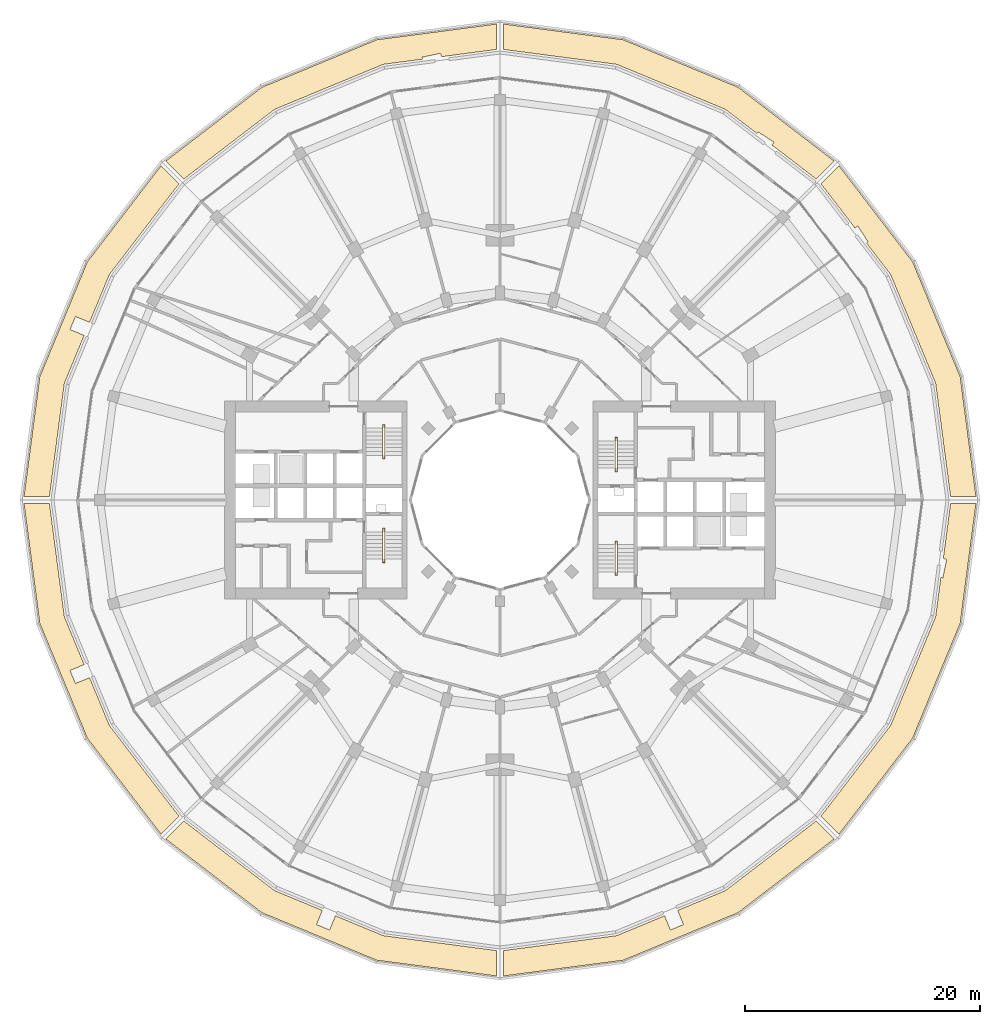
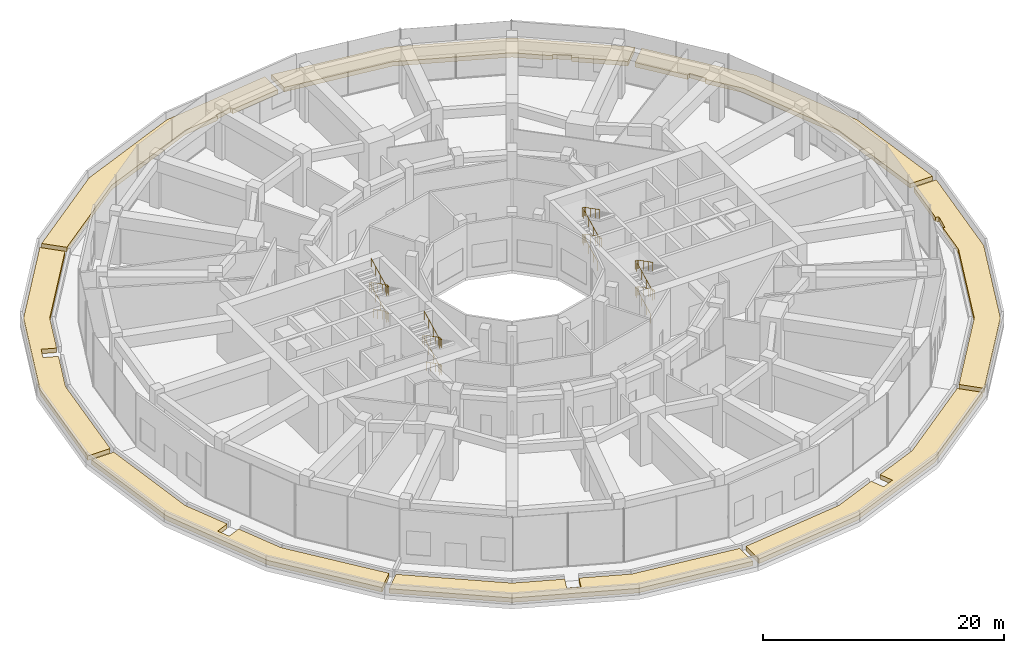
# One storey, part 25 of 26: 8 coverings, 4 railings.
"""IFC4 building model written with IfcOpenShell, lengths in metres."""

from ifc_helpers import new_model, si_unit, direction, frame, origin, origin_2d, place, context, subcontext, project, spatial, polyline, circle, outline, extrude, material, layer, layer_set, type_object, element, save


model = new_model("IFC4")

# Units and contexts
model_context = context("Model", 3, precision=1e-05, world=origin(), true_north=direction((0.0, 1.0)))
body_context = subcontext(model_context, "Body", "Model", "MODEL_VIEW")
ifc_project = project(units=[si_unit("LENGTHUNIT", "METRE"), si_unit("AREAUNIT", "SQUARE_METRE"), si_unit("VOLUMEUNIT", "CUBIC_METRE"), si_unit("PLANEANGLEUNIT", "RADIAN"), si_unit("MASSUNIT", "GRAM", prefix="KILO")], contexts=[model_context])

# Site, building, storey
site_placement = place(None, origin())
site = spatial("IfcSite", under=ifc_project, at=site_placement, CompositionType="ELEMENT")
building_placement = place(site_placement, origin())
building = spatial("IfcBuilding", under=site, at=building_placement, Name="Torre Brocal", CompositionType="ELEMENT")
storey_placement = place(building_placement, frame((0.0, 0.0, 12.39990234375)))
storey = spatial("IfcBuildingStorey", under=building, at=storey_placement, Name="L02", CompositionType="ELEMENT", Elevation=12.39990234375)

# Coverings
ifc_material_1 = material(Name="Planting soil")
ifc_layer = layer(ifc_material_1, 0.449951171875)
ifc_layer_set = layer_set([ifc_layer], Name="Planting soil")
covering_type = type_object("IfcCoveringType", Name="PLANTING SOIL 450", PredefinedType="FLOORING", material=ifc_layer_set)
covering_1_placement = place(storey_placement, origin())
element("IfcCovering", 1, at=covering_1_placement, inside=storey, type_object=covering_type, Name="PLANTING SOIL", PredefinedType="FLOORING", context=body_context, shape_type="SweptSolid", body=[
    extrude(outline(polyline([(120.456298828125, 75.300048828125), (118.29541015625, 75.300048828125), (117.02880859375, 84.921875), (113.198974609375, 94.16748046875), (111.14501953125, 96.84423828125), (111.287109375, 96.93603515625), (110.4189453125, 98.280029296875), (110.167724609375, 98.117919921875), (107.291015625, 101.866943359375), (108.819091796875, 103.394775390625), (115.0703125, 95.247802734375), (119.11572265625, 85.48095703125), (120.456298828125, 75.300048828125)])), origin(), (0.0, 0.0, 1.0), 0.4501953125),
])
covering_2_placement = place(storey_placement, origin())
element("IfcCovering", 2, at=covering_2_placement, inside=storey, type_object=covering_type, Name="PLANTING SOIL", PredefinedType="FLOORING", context=body_context, shape_type="SweptSolid", body=[
    extrude(outline(polyline([(108.394775390625, 103.819091796875), (106.866943359375, 102.291015625), (103.117919921875, 105.167724609375), (103.280029296875, 105.4189453125), (101.93603515625, 106.287109375), (101.84423828125, 106.14501953125), (99.16748046875, 108.198974609375), (89.921875, 112.02880859375), (80.300048828125, 113.29541015625), (80.300048828125, 115.456298828125), (90.48095703125, 114.11572265625), (100.247802734375, 110.0703125), (108.394775390625, 103.819091796875)])), origin(), (0.0, 0.0, 1.0), 0.4501953125),
])
covering_3_placement = place(storey_placement, origin())
element("IfcCovering", 3, at=covering_3_placement, inside=storey, type_object=covering_type, Name="PLANTING SOIL", PredefinedType="FLOORING", context=body_context, shape_type="SweptSolid", body=[
    extrude(outline(polyline([(59.752197265625, 110.0703125), (69.51904296875, 114.11572265625), (79.699951171875, 115.456298828125), (79.699951171875, 113.29541015625), (75.014892578125, 112.6787109375), (74.9521484375, 112.970947265625), (73.387939453125, 112.634521484375), (73.42333984375, 112.46923828125), (70.078125, 112.02880859375), (60.83251953125, 108.198974609375), (53.133056640625, 102.291015625), (51.605224609375, 103.819091796875), (59.752197265625, 110.0703125)])), origin(), (0.0, 0.0, 1.0), 0.4501953125),
])
covering_4_placement = place(storey_placement, origin())
element("IfcCovering", 4, at=covering_4_placement, inside=storey, type_object=covering_type, Name="PLANTING SOIL", PredefinedType="FLOORING", context=body_context, shape_type="SweptSolid", body=[
    extrude(outline(polyline([(51.180908203125, 103.394775390625), (52.708984375, 101.866943359375), (46.801025390625, 94.16748046875), (45.11572265625, 90.098876953125), (43.91455078125, 90.596435546875), (43.455322265625, 89.48779296875), (44.656494140625, 88.990234375), (42.97119140625, 84.921875), (41.70458984375, 75.300048828125), (39.543701171875, 75.300048828125), (40.88427734375, 85.48095703125), (44.9296875, 95.247802734375), (51.180908203125, 103.394775390625)])), origin(), (0.0, 0.0, 1.0), 0.4501953125),
])
covering_5_placement = place(storey_placement, origin())
element("IfcCovering", 5, at=covering_5_placement, inside=storey, type_object=covering_type, Name="PLANTING SOIL", PredefinedType="FLOORING", context=body_context, shape_type="SweptSolid", body=[
    extrude(outline(polyline([(39.543701171875, 74.699951171875), (41.70458984375, 74.699951171875), (42.97119140625, 65.078125), (44.656494140625, 61.009765625), (43.455322265625, 60.51220703125), (43.91455078125, 59.403564453125), (45.11572265625, 59.901123046875), (46.801025390625, 55.83251953125), (52.708984375, 48.133056640625), (51.180908203125, 46.605224609375), (44.9296875, 54.752197265625), (40.88427734375, 64.51904296875), (39.543701171875, 74.699951171875)])), origin(), (0.0, 0.0, 1.0), 0.4501953125),
])
covering_6_placement = place(storey_placement, origin())
element("IfcCovering", 6, at=covering_6_placement, inside=storey, type_object=covering_type, Name="PLANTING SOIL", PredefinedType="FLOORING", context=body_context, shape_type="SweptSolid", body=[
    extrude(outline(polyline([(60.83251953125, 41.801025390625), (64.901123046875, 40.11572265625), (64.403564453125, 38.91455078125), (65.51220703125, 38.455322265625), (66.009765625, 39.656494140625), (70.078125, 37.97119140625), (79.699951171875, 36.70458984375), (79.699951171875, 34.543701171875), (69.51904296875, 35.88427734375), (59.752197265625, 39.9296875), (51.605224609375, 46.180908203125), (53.133056640625, 47.708984375), (60.83251953125, 41.801025390625)])), origin(), (0.0, 0.0, 1.0), 0.4501953125),
])
covering_7_placement = place(storey_placement, origin())
element("IfcCovering", 7, at=covering_7_placement, inside=storey, type_object=covering_type, Name="PLANTING SOIL", PredefinedType="FLOORING", context=body_context, shape_type="SweptSolid", body=[
    extrude(outline(polyline([(89.921875, 37.97119140625), (93.990234375, 39.656494140625), (94.48779296875, 38.455322265625), (95.596435546875, 38.91455078125), (95.098876953125, 40.11572265625), (99.16748046875, 41.801025390625), (106.866943359375, 47.708984375), (108.394775390625, 46.180908203125), (100.247802734375, 39.9296875), (90.48095703125, 35.88427734375), (80.300048828125, 34.543701171875), (80.300048828125, 36.70458984375), (89.921875, 37.97119140625)])), origin(), (0.0, 0.0, 1.0), 0.4501953125),
])
covering_8_placement = place(storey_placement, origin())
element("IfcCovering", 8, at=covering_8_placement, inside=storey, type_object=covering_type, Name="PLANTING SOIL", PredefinedType="FLOORING", context=body_context, shape_type="SweptSolid", body=[
    extrude(outline(polyline([(113.198974609375, 55.83251953125), (117.02880859375, 65.078125), (117.46923828125, 68.42333984375), (117.634521484375, 68.387939453125), (117.970947265625, 69.9521484375), (117.6787109375, 70.014892578125), (118.29541015625, 74.699951171875), (120.456298828125, 74.699951171875), (119.11572265625, 64.51904296875), (115.0703125, 54.752197265625), (108.819091796875, 46.605224609375), (107.291015625, 48.133056640625), (113.198974609375, 55.83251953125)])), origin(), (0.0, 0.0, 1.0), 0.4501953125),
])

# Railings
ifc_material_2 = material(Name="Stainless steel AISI 316", Category="steel")
railing_type = type_object("IfcRailingType", Name="STAIR HANDRAIL", PredefinedType="HANDRAIL", material=ifc_material_2)
railing_1_placement = place(storey_placement, frame((89.780029296875, 77.699951171875, 0.1689453125)))
element("IfcRailing", 9, at=railing_1_placement, inside=storey, type_object=railing_type, Name="HANDRAIL ST1", PredefinedType="HANDRAIL", context=body_context, shape_type="SweptSolid", body=[
    extrude(circle(Radius=0.02392578125, at=origin_2d()), frame((0.0, 0.0, 0.8759765625), z_axis=(0.0, 0.890363489232, 0.455250323495), x_axis=(-1.0, 0.0, 0.0)), (0.0, 0.0, 1.0), 2.594482421875),
    extrude(circle(Radius=0.02392578125, at=origin_2d()), frame((0.0, 2.31005859375, 2.05712890625), z_axis=(0.0, 1.0, 0.0), x_axis=(-1.0, 0.0, 0.0)), (0.0, 0.0, 1.0), 0.300048828125),
    extrude(circle(Radius=0.02392578125, at=origin_2d()), frame((0.0, 2.610107421875, 2.05712890625), z_axis=(1.0, 0.0, 0.0), x_axis=(0.0, 1.0, 0.0)), (0.0, 0.0, 1.0), 0.18994140625),
    extrude(circle(Radius=0.02392578125, at=origin_2d()), frame((0.18994140625, 2.610107421875, 2.05712890625), z_axis=(0.0, -0.87167022805, 0.49009286215), x_axis=(1.0, 0.0, 0.0)), (0.0, 0.0, 1.0), 0.34423828125),
    extrude(circle(Radius=0.02392578125, at=origin_2d()), frame((0.18994140625, 2.31005859375, 2.2255859375), z_axis=(0.0, -0.89032534587, 0.45532491531), x_axis=(1.0, 0.0, 0.0)), (0.0, 0.0, 1.0), 2.5947265625),
    extrude(circle(Radius=0.02392578125, at=origin_2d()), frame((0.18994140625, 0.0, 3.4072265625), z_axis=(0.0, -1.0, 0.0), x_axis=(1.0, 0.0, 0.0)), (0.0, 0.0, 1.0), 0.300048828125),
    extrude(circle(Radius=0.02392578125, at=origin_2d()), frame((0.18994140625, -0.300048828125, 3.4072265625), z_axis=(-1.0, 0.0, 0.0), x_axis=(0.0, -1.0, 0.0)), (0.0, 0.0, 1.0), 0.18994140625),
    extrude(circle(Radius=0.02392578125, at=origin_2d()), frame((0.0, -0.300048828125, 3.4072265625), z_axis=(0.0, 0.87167022805, 0.49009286215), x_axis=(-1.0, 0.0, 0.0)), (0.0, 0.0, 1.0), 0.34423828125),
    extrude(circle(Radius=0.02392578125, at=origin_2d()), frame((0.0, 0.0, 3.57568359375), z_axis=(0.0, 0.890363489232, 0.455250323495), x_axis=(-1.0, 0.0, 0.0)), (0.0, 0.0, 1.0), 2.594482421875),
    extrude(circle(Radius=0.02392578125, at=origin_2d()), frame((0.0, 2.31005859375, 4.7568359375), z_axis=(0.0, 1.0, 0.0), x_axis=(-1.0, 0.0, 0.0)), (0.0, 0.0, 1.0), 0.300048828125),
    extrude(circle(Radius=0.02392578125, at=origin_2d()), frame((0.0, 2.610107421875, 4.7568359375), z_axis=(1.0, 0.0, 0.0), x_axis=(0.0, 1.0, 0.0)), (0.0, 0.0, 1.0), 0.18994140625),
    extrude(circle(Radius=0.02392578125, at=origin_2d()), frame((0.18994140625, 2.610107421875, 4.7568359375), z_axis=(0.0, -0.87167022805, 0.49009286215), x_axis=(1.0, 0.0, 0.0)), (0.0, 0.0, 1.0), 0.34423828125),
    extrude(circle(Radius=0.02392578125, at=origin_2d()), frame((0.18994140625, 2.31005859375, 4.92578125), z_axis=(0.0, -0.89032534587, 0.45532491531), x_axis=(1.0, 0.0, 0.0)), (0.0, 0.0, 1.0), 2.5947265625),
    extrude(circle(Radius=0.02099609375, at=origin_2d()), origin(), (0.0, 0.0, 1.0), 0.851806640625),
    extrude(circle(Radius=0.02099609375, at=origin_2d()), frame((0.0, 0.77001953125, 0.393798828125)), (0.0, 0.0, 1.0), 0.851806640625),
    extrude(circle(Radius=0.02099609375, at=origin_2d()), frame((0.0, 1.5400390625, 0.787353515625)), (0.0, 0.0, 1.0), 0.851806640625),
    extrude(circle(Radius=0.02099609375, at=origin_2d()), frame((0.0, 2.31005859375, 1.18115234375)), (0.0, 0.0, 1.0), 0.851806640625),
    extrude(circle(Radius=0.02099609375, at=origin_2d()), frame((0.0, 2.610107421875, 1.18115234375)), (0.0, 0.0, 1.0), 0.851806640625),
    extrude(circle(Radius=0.02099609375, at=origin_2d()), frame((0.18994140625, 2.610107421875, 1.18115234375)), (0.0, 0.0, 1.0), 0.851806640625),
    extrude(circle(Radius=0.02099609375, at=origin_2d()), frame((0.18994140625, 2.31005859375, 1.349853515625)), (0.0, 0.0, 1.0), 0.851806640625),
    extrude(circle(Radius=0.02099609375, at=origin_2d()), frame((0.18994140625, 1.5400390625, 1.74365234375)), (0.0, 0.0, 1.0), 0.851806640625),
    extrude(circle(Radius=0.02099609375, at=origin_2d()), frame((0.18994140625, 0.77001953125, 2.137451171875)), (0.0, 0.0, 1.0), 0.851806640625),
    extrude(circle(Radius=0.02099609375, at=origin_2d()), frame((0.18994140625, 0.0, 2.53125)), (0.0, 0.0, 1.0), 0.851806640625),
    extrude(circle(Radius=0.02099609375, at=origin_2d()), frame((0.18994140625, -0.300048828125, 2.53125)), (0.0, 0.0, 1.0), 0.851806640625),
    extrude(circle(Radius=0.02099609375, at=origin_2d()), frame((0.0, -0.300048828125, 2.53125)), (0.0, 0.0, 1.0), 0.851806640625),
    extrude(circle(Radius=0.02099609375, at=origin_2d()), frame((0.0, 0.0, 2.699951171875)), (0.0, 0.0, 1.0), 0.851806640625),
    extrude(circle(Radius=0.02099609375, at=origin_2d()), frame((0.0, 0.77001953125, 3.09375)), (0.0, 0.0, 1.0), 0.851806640625),
    extrude(circle(Radius=0.02099609375, at=origin_2d()), frame((0.0, 1.5400390625, 3.4873046875)), (0.0, 0.0, 1.0), 0.851806640625),
    extrude(circle(Radius=0.02099609375, at=origin_2d()), frame((0.0, 2.31005859375, 3.881103515625)), (0.0, 0.0, 1.0), 0.851806640625),
    extrude(circle(Radius=0.02099609375, at=origin_2d()), frame((0.0, 2.610107421875, 3.881103515625)), (0.0, 0.0, 1.0), 0.851806640625),
    extrude(circle(Radius=0.02099609375, at=origin_2d()), frame((0.18994140625, 2.610107421875, 3.881103515625)), (0.0, 0.0, 1.0), 0.851806640625),
    extrude(circle(Radius=0.02099609375, at=origin_2d()), frame((0.18994140625, 2.31005859375, 4.0498046875)), (0.0, 0.0, 1.0), 0.851806640625),
    extrude(circle(Radius=0.02099609375, at=origin_2d()), frame((0.18994140625, 1.5400390625, 4.443603515625)), (0.0, 0.0, 1.0), 0.851806640625),
    extrude(circle(Radius=0.02099609375, at=origin_2d()), frame((0.18994140625, 0.77001953125, 4.83740234375)), (0.0, 0.0, 1.0), 0.851806640625),
    extrude(circle(Radius=0.02099609375, at=origin_2d()), frame((0.18994140625, 0.0, 5.231201171875)), (0.0, 0.0, 1.0), 0.851806640625),
])
railing_2_placement = place(storey_placement, frame((89.780029296875, 68.89990234375, 0.1689453125)))
element("IfcRailing", 10, at=railing_2_placement, inside=storey, type_object=railing_type, Name="HANDRAIL ST2", PredefinedType="HANDRAIL", context=body_context, shape_type="SweptSolid", body=[
    extrude(circle(Radius=0.02392578125, at=origin_2d()), frame((0.0, 0.0, 0.8759765625), z_axis=(0.0, 0.890363489232, 0.455250323495), x_axis=(-1.0, 0.0, 0.0)), (0.0, 0.0, 1.0), 2.594482421875),
    extrude(circle(Radius=0.02392578125, at=origin_2d()), frame((0.0, 2.31005859375, 2.05712890625), z_axis=(0.0, 1.0, 0.0), x_axis=(-1.0, 0.0, 0.0)), (0.0, 0.0, 1.0), 0.300048828125),
    extrude(circle(Radius=0.02392578125, at=origin_2d()), frame((0.0, 2.610107421875, 2.05712890625), z_axis=(1.0, 0.0, 0.0), x_axis=(0.0, 1.0, 0.0)), (0.0, 0.0, 1.0), 0.18994140625),
    extrude(circle(Radius=0.02392578125, at=origin_2d()), frame((0.18994140625, 2.610107421875, 2.05712890625), z_axis=(0.0, -0.87167022805, 0.49009286215), x_axis=(1.0, 0.0, 0.0)), (0.0, 0.0, 1.0), 0.34423828125),
    extrude(circle(Radius=0.02392578125, at=origin_2d()), frame((0.18994140625, 2.31005859375, 2.2255859375), z_axis=(0.0, -0.89032534587, 0.45532491531), x_axis=(1.0, 0.0, 0.0)), (0.0, 0.0, 1.0), 2.5947265625),
    extrude(circle(Radius=0.02392578125, at=origin_2d()), frame((0.18994140625, 0.0, 3.4072265625), z_axis=(0.0, -1.0, 0.0), x_axis=(1.0, 0.0, 0.0)), (0.0, 0.0, 1.0), 0.2998046875),
    extrude(circle(Radius=0.02392578125, at=origin_2d()), frame((0.18994140625, -0.2998046875, 3.4072265625), z_axis=(-1.0, 0.0, 0.0), x_axis=(0.0, -1.0, 0.0)), (0.0, 0.0, 1.0), 0.18994140625),
    extrude(circle(Radius=0.02392578125, at=origin_2d()), frame((0.0, -0.2998046875, 3.4072265625), z_axis=(0.0, 0.871499714088, 0.490396011755), x_axis=(-1.0, 0.0, 0.0)), (0.0, 0.0, 1.0), 0.343994140625),
    extrude(circle(Radius=0.02392578125, at=origin_2d()), frame((0.0, 0.0, 3.57568359375), z_axis=(0.0, 0.890363489232, 0.455250323495), x_axis=(-1.0, 0.0, 0.0)), (0.0, 0.0, 1.0), 2.594482421875),
    extrude(circle(Radius=0.02392578125, at=origin_2d()), frame((0.0, 2.31005859375, 4.7568359375), z_axis=(0.0, 1.0, 0.0), x_axis=(-1.0, 0.0, 0.0)), (0.0, 0.0, 1.0), 0.300048828125),
    extrude(circle(Radius=0.02392578125, at=origin_2d()), frame((0.0, 2.610107421875, 4.7568359375), z_axis=(1.0, 0.0, 0.0), x_axis=(0.0, 1.0, 0.0)), (0.0, 0.0, 1.0), 0.18994140625),
    extrude(circle(Radius=0.02392578125, at=origin_2d()), frame((0.18994140625, 2.610107421875, 4.7568359375), z_axis=(0.0, -0.87167022805, 0.49009286215), x_axis=(1.0, 0.0, 0.0)), (0.0, 0.0, 1.0), 0.34423828125),
    extrude(circle(Radius=0.02392578125, at=origin_2d()), frame((0.18994140625, 2.31005859375, 4.92578125), z_axis=(0.0, -0.89032534587, 0.45532491531), x_axis=(1.0, 0.0, 0.0)), (0.0, 0.0, 1.0), 2.5947265625),
    extrude(circle(Radius=0.02099609375, at=origin_2d()), origin(), (0.0, 0.0, 1.0), 0.851806640625),
    extrude(circle(Radius=0.02099609375, at=origin_2d()), frame((0.0, 0.77001953125, 0.393798828125)), (0.0, 0.0, 1.0), 0.851806640625),
    extrude(circle(Radius=0.02099609375, at=origin_2d()), frame((0.0, 1.5400390625, 0.787353515625)), (0.0, 0.0, 1.0), 0.851806640625),
    extrude(circle(Radius=0.02099609375, at=origin_2d()), frame((0.0, 2.31005859375, 1.18115234375)), (0.0, 0.0, 1.0), 0.851806640625),
    extrude(circle(Radius=0.02099609375, at=origin_2d()), frame((0.0, 2.610107421875, 1.18115234375)), (0.0, 0.0, 1.0), 0.851806640625),
    extrude(circle(Radius=0.02099609375, at=origin_2d()), frame((0.18994140625, 2.610107421875, 1.18115234375)), (0.0, 0.0, 1.0), 0.851806640625),
    extrude(circle(Radius=0.02099609375, at=origin_2d()), frame((0.18994140625, 2.31005859375, 1.349853515625)), (0.0, 0.0, 1.0), 0.851806640625),
    extrude(circle(Radius=0.02099609375, at=origin_2d()), frame((0.18994140625, 1.5400390625, 1.74365234375)), (0.0, 0.0, 1.0), 0.851806640625),
    extrude(circle(Radius=0.02099609375, at=origin_2d()), frame((0.18994140625, 0.77001953125, 2.137451171875)), (0.0, 0.0, 1.0), 0.851806640625),
    extrude(circle(Radius=0.02099609375, at=origin_2d()), frame((0.18994140625, 0.0, 2.53125)), (0.0, 0.0, 1.0), 0.851806640625),
    extrude(circle(Radius=0.02099609375, at=origin_2d()), frame((0.18994140625, -0.2998046875, 2.53125)), (0.0, 0.0, 1.0), 0.851806640625),
    extrude(circle(Radius=0.02099609375, at=origin_2d()), frame((0.0, -0.2998046875, 2.53125)), (0.0, 0.0, 1.0), 0.851806640625),
    extrude(circle(Radius=0.02099609375, at=origin_2d()), frame((0.0, 0.0, 2.699951171875)), (0.0, 0.0, 1.0), 0.851806640625),
    extrude(circle(Radius=0.02099609375, at=origin_2d()), frame((0.0, 0.77001953125, 3.09375)), (0.0, 0.0, 1.0), 0.851806640625),
    extrude(circle(Radius=0.02099609375, at=origin_2d()), frame((0.0, 1.5400390625, 3.4873046875)), (0.0, 0.0, 1.0), 0.851806640625),
    extrude(circle(Radius=0.02099609375, at=origin_2d()), frame((0.0, 2.31005859375, 3.881103515625)), (0.0, 0.0, 1.0), 0.851806640625),
    extrude(circle(Radius=0.02099609375, at=origin_2d()), frame((0.0, 2.610107421875, 3.881103515625)), (0.0, 0.0, 1.0), 0.851806640625),
    extrude(circle(Radius=0.02099609375, at=origin_2d()), frame((0.18994140625, 2.610107421875, 3.881103515625)), (0.0, 0.0, 1.0), 0.851806640625),
    extrude(circle(Radius=0.02099609375, at=origin_2d()), frame((0.18994140625, 2.31005859375, 4.0498046875)), (0.0, 0.0, 1.0), 0.851806640625),
    extrude(circle(Radius=0.02099609375, at=origin_2d()), frame((0.18994140625, 1.5400390625, 4.443603515625)), (0.0, 0.0, 1.0), 0.851806640625),
    extrude(circle(Radius=0.02099609375, at=origin_2d()), frame((0.18994140625, 0.77001953125, 4.83740234375)), (0.0, 0.0, 1.0), 0.851806640625),
    extrude(circle(Radius=0.02099609375, at=origin_2d()), frame((0.18994140625, 0.0, 5.231201171875)), (0.0, 0.0, 1.0), 0.851806640625),
])
railing_3_placement = place(storey_placement, frame((70.219970703125, 72.300048828125, 0.1689453125)))
element("IfcRailing", 11, at=railing_3_placement, inside=storey, type_object=railing_type, Name="HANDRAIL ST3", PredefinedType="HANDRAIL", context=body_context, shape_type="SweptSolid", body=[
    extrude(circle(Radius=0.02392578125, at=origin_2d()), frame((0.0, 0.0, 0.8759765625), z_axis=(0.0, -0.890363489232, 0.455250323495), x_axis=(1.0, 0.0, 0.0)), (0.0, 0.0, 1.0), 2.594482421875),
    extrude(circle(Radius=0.02392578125, at=origin_2d()), frame((0.0, -2.31005859375, 2.05712890625), z_axis=(0.0, -1.0, 0.0), x_axis=(1.0, 0.0, 0.0)), (0.0, 0.0, 1.0), 0.300048828125),
    extrude(circle(Radius=0.02392578125, at=origin_2d()), frame((0.0, -2.610107421875, 2.05712890625), z_axis=(-1.0, 0.0, 0.0), x_axis=(0.0, -1.0, 0.0)), (0.0, 0.0, 1.0), 0.18994140625),
    extrude(circle(Radius=0.02392578125, at=origin_2d()), frame((-0.18994140625, -2.610107421875, 2.05712890625), z_axis=(0.0, 0.87167022805, 0.49009286215), x_axis=(-1.0, 0.0, 0.0)), (0.0, 0.0, 1.0), 0.34423828125),
    extrude(circle(Radius=0.02392578125, at=origin_2d()), frame((-0.18994140625, -2.31005859375, 2.2255859375), z_axis=(0.0, 0.89032534587, 0.45532491531), x_axis=(-1.0, 0.0, 0.0)), (0.0, 0.0, 1.0), 2.5947265625),
    extrude(circle(Radius=0.02392578125, at=origin_2d()), frame((-0.18994140625, 0.0, 3.4072265625), z_axis=(0.0, 1.0, 0.0), x_axis=(-1.0, 0.0, 0.0)), (0.0, 0.0, 1.0), 0.300048828125),
    extrude(circle(Radius=0.02392578125, at=origin_2d()), frame((-0.18994140625, 0.300048828125, 3.4072265625), z_axis=(1.0, 0.0, 0.0), x_axis=(0.0, 1.0, 0.0)), (0.0, 0.0, 1.0), 0.18994140625),
    extrude(circle(Radius=0.02392578125, at=origin_2d()), frame((0.0, 0.300048828125, 3.4072265625), z_axis=(0.0, -0.87167022805, 0.49009286215), x_axis=(1.0, 0.0, 0.0)), (0.0, 0.0, 1.0), 0.34423828125),
    extrude(circle(Radius=0.02392578125, at=origin_2d()), frame((0.0, 0.0, 3.57568359375), z_axis=(0.0, -0.890363489232, 0.455250323495), x_axis=(1.0, 0.0, 0.0)), (0.0, 0.0, 1.0), 2.594482421875),
    extrude(circle(Radius=0.02392578125, at=origin_2d()), frame((0.0, -2.31005859375, 4.7568359375), z_axis=(0.0, -1.0, 0.0), x_axis=(1.0, 0.0, 0.0)), (0.0, 0.0, 1.0), 0.300048828125),
    extrude(circle(Radius=0.02392578125, at=origin_2d()), frame((0.0, -2.610107421875, 4.7568359375), z_axis=(-1.0, 0.0, 0.0), x_axis=(0.0, -1.0, 0.0)), (0.0, 0.0, 1.0), 0.18994140625),
    extrude(circle(Radius=0.02392578125, at=origin_2d()), frame((-0.18994140625, -2.610107421875, 4.7568359375), z_axis=(0.0, 0.87167022805, 0.49009286215), x_axis=(-1.0, 0.0, 0.0)), (0.0, 0.0, 1.0), 0.34423828125),
    extrude(circle(Radius=0.02392578125, at=origin_2d()), frame((-0.18994140625, -2.31005859375, 4.92578125), z_axis=(0.0, 0.89032534587, 0.45532491531), x_axis=(-1.0, 0.0, 0.0)), (0.0, 0.0, 1.0), 2.5947265625),
    extrude(circle(Radius=0.02099609375, at=origin_2d()), origin(), (0.0, 0.0, 1.0), 0.851806640625),
    extrude(circle(Radius=0.02099609375, at=origin_2d()), frame((0.0, -0.77001953125, 0.393798828125)), (0.0, 0.0, 1.0), 0.851806640625),
    extrude(circle(Radius=0.02099609375, at=origin_2d()), frame((0.0, -1.5400390625, 0.787353515625)), (0.0, 0.0, 1.0), 0.851806640625),
    extrude(circle(Radius=0.02099609375, at=origin_2d()), frame((0.0, -2.31005859375, 1.18115234375)), (0.0, 0.0, 1.0), 0.851806640625),
    extrude(circle(Radius=0.02099609375, at=origin_2d()), frame((0.0, -2.610107421875, 1.18115234375)), (0.0, 0.0, 1.0), 0.851806640625),
    extrude(circle(Radius=0.02099609375, at=origin_2d()), frame((-0.18994140625, -2.610107421875, 1.18115234375)), (0.0, 0.0, 1.0), 0.851806640625),
    extrude(circle(Radius=0.02099609375, at=origin_2d()), frame((-0.18994140625, -2.31005859375, 1.349853515625)), (0.0, 0.0, 1.0), 0.851806640625),
    extrude(circle(Radius=0.02099609375, at=origin_2d()), frame((-0.18994140625, -1.5400390625, 1.74365234375)), (0.0, 0.0, 1.0), 0.851806640625),
    extrude(circle(Radius=0.02099609375, at=origin_2d()), frame((-0.18994140625, -0.77001953125, 2.137451171875)), (0.0, 0.0, 1.0), 0.851806640625),
    extrude(circle(Radius=0.02099609375, at=origin_2d()), frame((-0.18994140625, 0.0, 2.53125)), (0.0, 0.0, 1.0), 0.851806640625),
    extrude(circle(Radius=0.02099609375, at=origin_2d()), frame((-0.18994140625, 0.300048828125, 2.53125)), (0.0, 0.0, 1.0), 0.851806640625),
    extrude(circle(Radius=0.02099609375, at=origin_2d()), frame((0.0, 0.300048828125, 2.53125)), (0.0, 0.0, 1.0), 0.851806640625),
    extrude(circle(Radius=0.02099609375, at=origin_2d()), frame((0.0, 0.0, 2.699951171875)), (0.0, 0.0, 1.0), 0.851806640625),
    extrude(circle(Radius=0.02099609375, at=origin_2d()), frame((0.0, -0.77001953125, 3.09375)), (0.0, 0.0, 1.0), 0.851806640625),
    extrude(circle(Radius=0.02099609375, at=origin_2d()), frame((0.0, -1.5400390625, 3.4873046875)), (0.0, 0.0, 1.0), 0.851806640625),
    extrude(circle(Radius=0.02099609375, at=origin_2d()), frame((0.0, -2.31005859375, 3.881103515625)), (0.0, 0.0, 1.0), 0.851806640625),
    extrude(circle(Radius=0.02099609375, at=origin_2d()), frame((0.0, -2.610107421875, 3.881103515625)), (0.0, 0.0, 1.0), 0.851806640625),
    extrude(circle(Radius=0.02099609375, at=origin_2d()), frame((-0.18994140625, -2.610107421875, 3.881103515625)), (0.0, 0.0, 1.0), 0.851806640625),
    extrude(circle(Radius=0.02099609375, at=origin_2d()), frame((-0.18994140625, -2.31005859375, 4.0498046875)), (0.0, 0.0, 1.0), 0.851806640625),
    extrude(circle(Radius=0.02099609375, at=origin_2d()), frame((-0.18994140625, -1.5400390625, 4.443603515625)), (0.0, 0.0, 1.0), 0.851806640625),
    extrude(circle(Radius=0.02099609375, at=origin_2d()), frame((-0.18994140625, -0.77001953125, 4.83740234375)), (0.0, 0.0, 1.0), 0.851806640625),
    extrude(circle(Radius=0.02099609375, at=origin_2d()), frame((-0.18994140625, 0.0, 5.231201171875)), (0.0, 0.0, 1.0), 0.851806640625),
])
railing_4_placement = place(storey_placement, frame((70.219970703125, 81.10009765625, 0.1689453125)))
element("IfcRailing", 12, at=railing_4_placement, inside=storey, type_object=railing_type, Name="HANDRAIL ST4", PredefinedType="HANDRAIL", context=body_context, shape_type="SweptSolid", body=[
    extrude(circle(Radius=0.02392578125, at=origin_2d()), frame((0.0, 0.0, 0.8759765625), z_axis=(0.0, -0.890363489232, 0.455250323495), x_axis=(1.0, 0.0, 0.0)), (0.0, 0.0, 1.0), 2.594482421875),
    extrude(circle(Radius=0.02392578125, at=origin_2d()), frame((0.0, -2.31005859375, 2.05712890625), z_axis=(0.0, -1.0, 0.0), x_axis=(1.0, 0.0, 0.0)), (0.0, 0.0, 1.0), 0.300048828125),
    extrude(circle(Radius=0.02392578125, at=origin_2d()), frame((0.0, -2.610107421875, 2.05712890625), z_axis=(-1.0, 0.0, 0.0), x_axis=(0.0, -1.0, 0.0)), (0.0, 0.0, 1.0), 0.18994140625),
    extrude(circle(Radius=0.02392578125, at=origin_2d()), frame((-0.18994140625, -2.610107421875, 2.05712890625), z_axis=(0.0, 0.87167022805, 0.49009286215), x_axis=(-1.0, 0.0, 0.0)), (0.0, 0.0, 1.0), 0.34423828125),
    extrude(circle(Radius=0.02392578125, at=origin_2d()), frame((-0.18994140625, -2.31005859375, 2.2255859375), z_axis=(0.0, 0.89032534587, 0.45532491531), x_axis=(-1.0, 0.0, 0.0)), (0.0, 0.0, 1.0), 2.5947265625),
    extrude(circle(Radius=0.02392578125, at=origin_2d()), frame((-0.18994140625, 0.0, 3.4072265625), z_axis=(0.0, 1.0, 0.0), x_axis=(-1.0, 0.0, 0.0)), (0.0, 0.0, 1.0), 0.2998046875),
    extrude(circle(Radius=0.02392578125, at=origin_2d()), frame((-0.18994140625, 0.2998046875, 3.4072265625), z_axis=(1.0, 0.0, 0.0), x_axis=(0.0, 1.0, 0.0)), (0.0, 0.0, 1.0), 0.18994140625),
    extrude(circle(Radius=0.02392578125, at=origin_2d()), frame((0.0, 0.2998046875, 3.4072265625), z_axis=(0.0, -0.871499714088, 0.490396011755), x_axis=(1.0, 0.0, 0.0)), (0.0, 0.0, 1.0), 0.343994140625),
    extrude(circle(Radius=0.02392578125, at=origin_2d()), frame((0.0, 0.0, 3.57568359375), z_axis=(0.0, -0.890363489232, 0.455250323495), x_axis=(1.0, 0.0, 0.0)), (0.0, 0.0, 1.0), 2.594482421875),
    extrude(circle(Radius=0.02392578125, at=origin_2d()), frame((0.0, -2.31005859375, 4.7568359375), z_axis=(0.0, -1.0, 0.0), x_axis=(1.0, 0.0, 0.0)), (0.0, 0.0, 1.0), 0.300048828125),
    extrude(circle(Radius=0.02392578125, at=origin_2d()), frame((0.0, -2.610107421875, 4.7568359375), z_axis=(-1.0, 0.0, 0.0), x_axis=(0.0, -1.0, 0.0)), (0.0, 0.0, 1.0), 0.18994140625),
    extrude(circle(Radius=0.02392578125, at=origin_2d()), frame((-0.18994140625, -2.610107421875, 4.7568359375), z_axis=(0.0, 0.87167022805, 0.49009286215), x_axis=(-1.0, 0.0, 0.0)), (0.0, 0.0, 1.0), 0.34423828125),
    extrude(circle(Radius=0.02392578125, at=origin_2d()), frame((-0.18994140625, -2.31005859375, 4.92578125), z_axis=(0.0, 0.89032534587, 0.45532491531), x_axis=(-1.0, 0.0, 0.0)), (0.0, 0.0, 1.0), 2.5947265625),
    extrude(circle(Radius=0.02099609375, at=origin_2d()), origin(), (0.0, 0.0, 1.0), 0.851806640625),
    extrude(circle(Radius=0.02099609375, at=origin_2d()), frame((0.0, -0.77001953125, 0.393798828125)), (0.0, 0.0, 1.0), 0.851806640625),
    extrude(circle(Radius=0.02099609375, at=origin_2d()), frame((0.0, -1.5400390625, 0.787353515625)), (0.0, 0.0, 1.0), 0.851806640625),
    extrude(circle(Radius=0.02099609375, at=origin_2d()), frame((0.0, -2.31005859375, 1.18115234375)), (0.0, 0.0, 1.0), 0.851806640625),
    extrude(circle(Radius=0.02099609375, at=origin_2d()), frame((0.0, -2.610107421875, 1.18115234375)), (0.0, 0.0, 1.0), 0.851806640625),
    extrude(circle(Radius=0.02099609375, at=origin_2d()), frame((-0.18994140625, -2.610107421875, 1.18115234375)), (0.0, 0.0, 1.0), 0.851806640625),
    extrude(circle(Radius=0.02099609375, at=origin_2d()), frame((-0.18994140625, -2.31005859375, 1.349853515625)), (0.0, 0.0, 1.0), 0.851806640625),
    extrude(circle(Radius=0.02099609375, at=origin_2d()), frame((-0.18994140625, -1.5400390625, 1.74365234375)), (0.0, 0.0, 1.0), 0.851806640625),
    extrude(circle(Radius=0.02099609375, at=origin_2d()), frame((-0.18994140625, -0.77001953125, 2.137451171875)), (0.0, 0.0, 1.0), 0.851806640625),
    extrude(circle(Radius=0.02099609375, at=origin_2d()), frame((-0.18994140625, 0.0, 2.53125)), (0.0, 0.0, 1.0), 0.851806640625),
    extrude(circle(Radius=0.02099609375, at=origin_2d()), frame((-0.18994140625, 0.2998046875, 2.53125)), (0.0, 0.0, 1.0), 0.851806640625),
    extrude(circle(Radius=0.02099609375, at=origin_2d()), frame((0.0, 0.2998046875, 2.53125)), (0.0, 0.0, 1.0), 0.851806640625),
    extrude(circle(Radius=0.02099609375, at=origin_2d()), frame((0.0, 0.0, 2.699951171875)), (0.0, 0.0, 1.0), 0.851806640625),
    extrude(circle(Radius=0.02099609375, at=origin_2d()), frame((0.0, -0.77001953125, 3.09375)), (0.0, 0.0, 1.0), 0.851806640625),
    extrude(circle(Radius=0.02099609375, at=origin_2d()), frame((0.0, -1.5400390625, 3.4873046875)), (0.0, 0.0, 1.0), 0.851806640625),
    extrude(circle(Radius=0.02099609375, at=origin_2d()), frame((0.0, -2.31005859375, 3.881103515625)), (0.0, 0.0, 1.0), 0.851806640625),
    extrude(circle(Radius=0.02099609375, at=origin_2d()), frame((0.0, -2.610107421875, 3.881103515625)), (0.0, 0.0, 1.0), 0.851806640625),
    extrude(circle(Radius=0.02099609375, at=origin_2d()), frame((-0.18994140625, -2.610107421875, 3.881103515625)), (0.0, 0.0, 1.0), 0.851806640625),
    extrude(circle(Radius=0.02099609375, at=origin_2d()), frame((-0.18994140625, -2.31005859375, 4.0498046875)), (0.0, 0.0, 1.0), 0.851806640625),
    extrude(circle(Radius=0.02099609375, at=origin_2d()), frame((-0.18994140625, -1.5400390625, 4.443603515625)), (0.0, 0.0, 1.0), 0.851806640625),
    extrude(circle(Radius=0.02099609375, at=origin_2d()), frame((-0.18994140625, -0.77001953125, 4.83740234375)), (0.0, 0.0, 1.0), 0.851806640625),
    extrude(circle(Radius=0.02099609375, at=origin_2d()), frame((-0.18994140625, 0.0, 5.231201171875)), (0.0, 0.0, 1.0), 0.851806640625),
])

save(model, "model.ifc")
